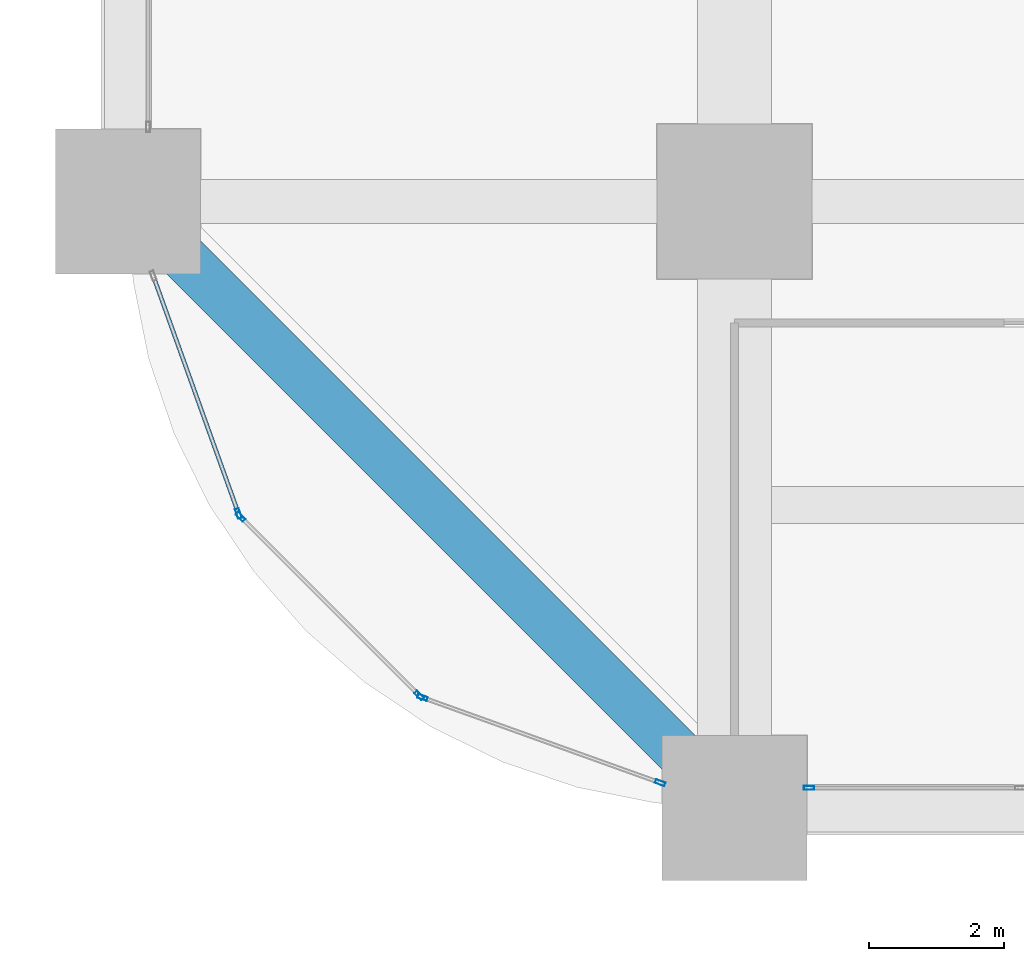
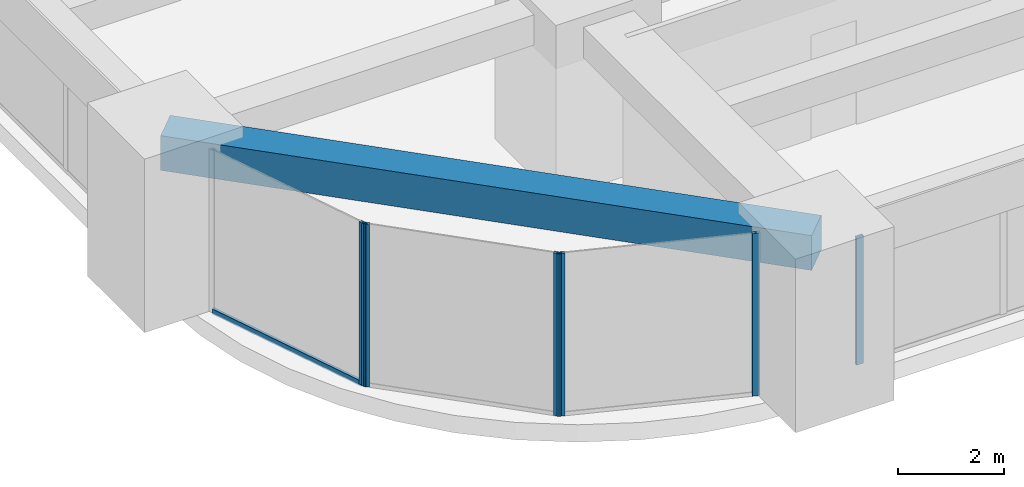
# One storey, part 2 of 50: 7 members, 1 beam, 4 elements without a shape of their own.
"""IFC4 building model written with IfcOpenShell, lengths in metres."""

import ifcopenshell
import ifcopenshell.guid

model = None  # the IFC model being written
_history = None  # IfcOwnerHistory: only IFC2X3 demands one
_inside = {}  # id of a spatial element -> (the spatial element, [elements in it])
_under = {}  # id of a project, library or spatial element -> (it, [spatial elements below it])
_declared = {}  # id of a project -> (the project, [libraries it declares])
_typed = {}  # id of a type object -> (the type object, [elements of that type])
_made_of = {}  # id of a material, layer set ... -> (it, [elements and type objects made of it])


def new_model(schema):
    """Start an empty IFC model of exactly this schema.

    Asked for "IFC4X3", IfcOpenShell would pick the latest addendum, in which some entities
    have other attributes; the version numbers below select the first issue.
    IFC2X3 requires an IfcOwnerHistory on every rooted entity: one is made here for all.
    """
    global model, _history
    if schema == "IFC4X3":
        model = ifcopenshell.file(schema_version=(4, 3, 0, 0))
    else:
        model = ifcopenshell.file(schema=schema)
    _inside.clear()
    _under.clear()
    _declared.clear()
    _typed.clear()
    _made_of.clear()
    _history = None
    if model.schema == "IFC2X3":
        org = make("IfcOrganization", Name="unknown")
        user = make(
            "IfcPersonAndOrganization",
            ThePerson=make("IfcPerson", FamilyName="unknown"),
            TheOrganization=org,
        )
        app = make(
            "IfcApplication",
            ApplicationDeveloper=org,
            Version="unknown",
            ApplicationFullName="unknown",
            ApplicationIdentifier="unknown",
        )
        _history = make(
            "IfcOwnerHistory",
            OwningUser=user,
            OwningApplication=app,
            ChangeAction="ADDED",
            CreationDate=0,
        )
    return model


def make(cls, **values):
    """One entity of the class cls with the attributes given. An attribute that is None is left unset."""
    return model.create_entity(
        cls, **{name: value for name, value in values.items() if value is not None}
    )


def rooted(cls, **values):
    """An entity with a GlobalId (a new one), such as an element, a storey or a relation."""
    return make(cls, GlobalId=ifcopenshell.guid.new(), OwnerHistory=_history, **values)


def si_unit(unit_type, name, prefix=None):
    """IfcSIUnit, for example si_unit("LENGTHUNIT", "METRE", prefix="MILLI")."""
    return make("IfcSIUnit", UnitType=unit_type, Prefix=prefix, Name=name)


def assignment(units):
    """IfcUnitAssignment: the units of a project."""
    return None if units is None else make("IfcUnitAssignment", Units=units)


def point(xyz):
    """IfcCartesianPoint."""
    return None if xyz is None else make("IfcCartesianPoint", Coordinates=xyz)


def direction(xyz):
    """IfcDirection."""
    return None if xyz is None else make("IfcDirection", DirectionRatios=xyz)


def frame(location, z_axis=None, x_axis=None):
    """IfcAxis2Placement3D, a coordinate frame: its origin and axes. An axis left out is left unset."""
    return make(
        "IfcAxis2Placement3D",
        Location=point(location),
        Axis=direction(z_axis),
        RefDirection=direction(x_axis),
    )


def frame_2d(location, x_axis=None):
    """IfcAxis2Placement2D, a coordinate frame in the plane: its origin and x axis."""
    return make(
        "IfcAxis2Placement2D", Location=point(location), RefDirection=direction(x_axis)
    )


def origin():
    """The frame at (0, 0, 0) with its axes left unset."""
    return frame((0.0, 0.0, 0.0))


def origin_2d():
    """The frame at (0, 0) in the plane with its x axis left unset."""
    return frame_2d((0.0, 0.0))


def place(relative_to, where):
    """IfcLocalPlacement: puts the frame where relative to a parent placement (None: the world)."""
    return make(
        "IfcLocalPlacement", PlacementRelTo=relative_to, RelativePlacement=where
    )


def context(
    kind, dimensions, precision=None, world=None, true_north=None, identifier=None
):
    """IfcGeometricRepresentationContext, for example the 3D "Model" context."""
    return make(
        "IfcGeometricRepresentationContext",
        ContextIdentifier=identifier,
        ContextType=kind,
        CoordinateSpaceDimension=dimensions,
        Precision=precision,
        WorldCoordinateSystem=world,
        TrueNorth=true_north,
    )


def subcontext(parent, identifier, kind, view, scale=None):
    """IfcGeometricRepresentationSubContext, for example "Body" below "Model"."""
    return make(
        "IfcGeometricRepresentationSubContext",
        ContextIdentifier=identifier,
        ContextType=kind,
        ParentContext=parent,
        TargetScale=scale,
        TargetView=view,
    )


def project(units=None, contexts=None):
    """IfcProject with its units and contexts."""
    return rooted(
        "IfcProject",
        Name="project",
        RepresentationContexts=contexts,
        UnitsInContext=assignment(units),
    )


def spatial(cls, under=None, at=None, **own):
    """A site, building, storey or space (cls), placed at a placement, below another one or the project."""
    s = rooted(cls, ObjectPlacement=at, **own)
    if under is not None:
        _under.setdefault(under.id(), (under, []))[1].append(s)
    return s


def profile(cls, at=None, kind="AREA", **sizes):
    """A parametric profile (cls). Its sizes go by their IFC names, for example OverallWidth=200.0."""
    return make(cls, ProfileType=kind, Position=at, **sizes)


def rectangle(**sizes):
    """IfcRectangleProfileDef."""
    return profile("IfcRectangleProfileDef", **sizes)


def hollow_rectangle(**sizes):
    """IfcRectangleHollowProfileDef."""
    return profile("IfcRectangleHollowProfileDef", **sizes)


def extrude(swept, where, along, depth):
    """IfcExtrudedAreaSolid: the profile swept, set in the frame where, extruded along a direction by depth."""
    return make(
        "IfcExtrudedAreaSolid",
        SweptArea=swept,
        Position=where,
        ExtrudedDirection=direction(along),
        Depth=depth,
    )


def shape(context_of_items, identifier, shape_type, items):
    """IfcShapeRepresentation: the items that make up one representation, for example the "Body"."""
    return make(
        "IfcShapeRepresentation",
        ContextOfItems=context_of_items,
        RepresentationIdentifier=identifier,
        RepresentationType=shape_type,
        Items=items,
    )


def material(Name=None, Category=None):
    """IfcMaterial."""
    return make("IfcMaterial", Name=Name, Category=Category)


def material_profile(
    of_material, cross_section, Name=None, Category=None, Priority=None
):
    """IfcMaterialProfile: a cross section and its material."""
    return make(
        "IfcMaterialProfile",
        Name=Name,
        Material=of_material,
        Profile=cross_section,
        Priority=Priority,
        Category=Category,
    )


def profile_set(profiles, Name=None, composite=None):
    """IfcMaterialProfileSet."""
    return make(
        "IfcMaterialProfileSet",
        Name=Name,
        MaterialProfiles=profiles,
        CompositeProfile=composite,
    )


def made_of(thing, what):
    """Note that an element or type object is made of a material, layer set ...; save() writes the relation."""
    if what is not None:
        _made_of.setdefault(what.id(), (what, []))[1].append(thing)
    return thing


def type_object(cls, material=None, **own):
    """A type object (cls), such as IfcWallType, which elements share."""
    return made_of(rooted(cls, **own), material)


def element(
    cls,
    number,
    at=None,
    inside=None,
    cuts=None,
    type_object=None,
    material=None,
    context=None,
    identifier="Body",
    shape_type=None,
    held_by="IfcProductDefinitionShape",
    body=None,
    shapes=None,
    **own,
):
    """One element of the class cls, such as IfcWall. Its Tag is "e" and its number.

    at: its placement. inside: the storey or other place that contains it. cuts: it is an
    opening in that element (IfcRelVoidsElement). A single representation is given by context,
    identifier, shape_type and body (its items); several are given by shapes. held_by: the class
    of the entity that holds the representations. save() writes the other relations.
    """
    e = rooted(cls, Tag="e%d" % number, ObjectPlacement=at, **own)
    if body is not None:
        shapes = [shape(context, identifier, shape_type, body)]
    if shapes is not None:
        e.Representation = make(held_by, Representations=shapes)
    if inside is not None:
        _inside.setdefault(inside.id(), (inside, []))[1].append(e)
    if cuts is not None:
        rooted(
            "IfcRelVoidsElement", RelatingBuildingElement=cuts, RelatedOpeningElement=e
        )
    if type_object is not None:
        _typed.setdefault(type_object.id(), (type_object, []))[1].append(e)
    return made_of(e, material)


def aggregate(whole, parts):
    """IfcRelAggregates: a whole, such as a stair, and the parts it consists of."""
    return rooted("IfcRelAggregates", RelatingObject=whole, RelatedObjects=parts)


def save(model, path):
    """Write the relations noted so far, then the file.

    IfcRelAggregates (storeys below a building ...), IfcRelContainedInSpatialStructure (elements
    in a storey), IfcRelDefinesByType, IfcRelAssociatesMaterial and IfcRelDeclares: one each for
    every whole, place, type object, material and project.
    """
    for whole, parts in _under.values():
        aggregate(whole, parts)
    for where, things in _inside.values():
        rooted(
            "IfcRelContainedInSpatialStructure",
            RelatedElements=things,
            RelatingStructure=where,
        )
    for kind, things in _typed.values():
        rooted("IfcRelDefinesByType", RelatedObjects=things, RelatingType=kind)
    for what, things in _made_of.values():
        rooted("IfcRelAssociatesMaterial", RelatedObjects=things, RelatingMaterial=what)
    for by, libraries in _declared.values():
        rooted("IfcRelDeclares", RelatingContext=by, RelatedDefinitions=libraries)
    model.write(path)


model = new_model("IFC4")

# Units and contexts
model_context = context("Model", 3, precision=1e-05, world=origin(), true_north=direction((0.0, 1.0)))
body_context = subcontext(model_context, "Body", "Model", "MODEL_VIEW")
ifc_project = project(units=[si_unit("LENGTHUNIT", "METRE"), si_unit("AREAUNIT", "SQUARE_METRE"), si_unit("VOLUMEUNIT", "CUBIC_METRE"), si_unit("PLANEANGLEUNIT", "RADIAN"), si_unit("MASSUNIT", "GRAM", prefix="KILO")], contexts=[model_context])

# Site, building, storey
site_placement = place(None, origin())
site = spatial("IfcSite", under=ifc_project, at=site_placement, CompositionType="ELEMENT")
building_placement = place(site_placement, origin())
building = spatial("IfcBuilding", under=site, at=building_placement, Name="Zorevar Civic Tower", CompositionType="ELEMENT")
storey_placement = place(building_placement, frame((0.0, 0.0, 85.0)))
storey = spatial("IfcBuildingStorey", under=building, at=storey_placement, Name="L20", CompositionType="ELEMENT", Elevation=85.0)

# Curtain wall, member
ifc_material_1 = material(Name="Dark grey solar-control glass in black aluminium frame", Category="aluminium")
curtain_wall_type = type_object("IfcCurtainWallType", Name="Curtain wall CW3 mid zone", PredefinedType="NOTDEFINED", material=ifc_material_1)
curtain_wall_1_placement = place(storey_placement, origin())
curtain_wall_1 = element("IfcCurtainWall", 1, at=curtain_wall_1_placement, inside=storey, type_object=curtain_wall_type, Name="CW3 L20", PredefinedType="NOTDEFINED")
ifc_material_2 = material(Name="Aluminium, black anodised", Category="aluminium")
ifc_material_profile_1 = material_profile(ifc_material_2, hollow_rectangle(XDim=0.06005859375, YDim=0.14990234375, WallThickness=0.00390625, at=origin_2d()), Name="AL 150x60x4")
ifc_profile_set_1 = profile_set([ifc_material_profile_1], Name="Aluminium, black anodised")
member_type_1 = type_object("IfcMemberType", Name="CW3 mullion AL 150x60x4", PredefinedType="MULLION", material=ifc_profile_set_1)
member_1_placement = place(storey_placement, frame((10.10498046875, 0.300048828125, 0.0), z_axis=(0.0, 0.0, 1.0), x_axis=(0.0, 1.0, 0.0)))
member_1 = element("IfcMember", 2, at=member_1_placement, type_object=member_type_1, Name="CW3 mullion 1", PredefinedType="MULLION", context=body_context, shape_type="SweptSolid", body=[
    extrude(hollow_rectangle(XDim=0.06005859375, YDim=0.14990234375, WallThickness=0.00390625, at=origin_2d()), origin(), (0.0, 0.0, 1.0), 2.949951171875),
])
aggregate(curtain_wall_1, [member_1])

curtain_wall_2_placement = place(storey_placement, origin())
curtain_wall_2 = element("IfcCurtainWall", 3, at=curtain_wall_2_placement, inside=storey, type_object=curtain_wall_type, Name="CW3 L20", PredefinedType="NOTDEFINED")
member_2_placement = place(storey_placement, frame((1.6416015625, 4.370849609375, 0.0), z_axis=(0.0, 0.0, 1.0), x_axis=(0.941281589934, 0.337622523614, 0.0)))
member_2 = element("IfcMember", 4, at=member_2_placement, type_object=member_type_1, Name="CW3 mullion 2", PredefinedType="MULLION", context=body_context, shape_type="SweptSolid", body=[
    extrude(hollow_rectangle(XDim=0.06005859375, YDim=0.14990234375, WallThickness=0.00390625, at=origin_2d()), origin(), (0.0, 0.0, 1.0), 3.75),
])

# Curtain wall, members
curtain_wall_3_placement = place(storey_placement, origin())
curtain_wall_3 = element("IfcCurtainWall", 5, at=curtain_wall_3_placement, inside=storey, type_object=curtain_wall_type, Name="CW3 L20", PredefinedType="NOTDEFINED")
member_3_placement = place(storey_placement, frame((1.6728515625, 4.321533203125, 0.0), z_axis=(0.0, 0.0, 1.0), x_axis=(0.707106781187, 0.707106781187, 0.0)))
member_3 = element("IfcMember", 6, at=member_3_placement, type_object=member_type_1, Name="CW3 mullion 1", PredefinedType="MULLION", context=body_context, shape_type="SweptSolid", body=[
    extrude(hollow_rectangle(XDim=0.06005859375, YDim=0.14990234375, WallThickness=0.00390625, at=origin_2d()), origin(), (0.0, 0.0, 1.0), 3.75),
])
member_4_placement = place(storey_placement, frame((4.321533203125, 1.6728515625, 0.0), z_axis=(0.0, 0.0, 1.0), x_axis=(0.707106781187, 0.707106781187, 0.0)))
member_4 = element("IfcMember", 7, at=member_4_placement, type_object=member_type_1, Name="CW3 mullion 2", PredefinedType="MULLION", context=body_context, shape_type="SweptSolid", body=[
    extrude(hollow_rectangle(XDim=0.06005859375, YDim=0.14990234375, WallThickness=0.00390625, at=origin_2d()), origin(), (0.0, 0.0, 1.0), 3.75),
])
aggregate(curtain_wall_3, [member_3, member_4])

curtain_wall_4_placement = place(storey_placement, origin())
curtain_wall_4 = element("IfcCurtainWall", 8, at=curtain_wall_4_placement, inside=storey, type_object=curtain_wall_type, Name="CW3 L20", PredefinedType="NOTDEFINED")
member_5_placement = place(storey_placement, frame((4.370849609375, 1.6416015625, 0.0), z_axis=(0.0, 0.0, 1.0), x_axis=(0.337622523614, 0.941281589934, 0.0)))
member_5 = element("IfcMember", 9, at=member_5_placement, type_object=member_type_1, Name="CW3 mullion 1", PredefinedType="MULLION", context=body_context, shape_type="SweptSolid", body=[
    extrude(hollow_rectangle(XDim=0.06005859375, YDim=0.14990234375, WallThickness=0.00390625, at=origin_2d()), origin(), (0.0, 0.0, 1.0), 3.75),
])
member_6_placement = place(storey_placement, frame((7.896728515625, 0.376953125, 0.0), z_axis=(0.0, 0.0, 1.0), x_axis=(0.337622523614, 0.941281589934, 0.0)))
member_6 = element("IfcMember", 10, at=member_6_placement, type_object=member_type_1, Name="CW3 mullion 2", PredefinedType="MULLION", context=body_context, shape_type="SweptSolid", body=[
    extrude(hollow_rectangle(XDim=0.06005859375, YDim=0.14990234375, WallThickness=0.00390625, at=origin_2d()), origin(), (0.0, 0.0, 1.0), 3.75),
])
aggregate(curtain_wall_4, [member_5, member_6])

# Member
ifc_material_3 = material(Name="Aluminium, black anodised", Category="aluminium")
ifc_material_profile_2 = material_profile(ifc_material_3, hollow_rectangle(XDim=0.06005859375, YDim=0.1201171875, WallThickness=0.0029296875, at=origin_2d()), Name="AL 120x60x3")
ifc_profile_set_2 = profile_set([ifc_material_profile_2], Name="Aluminium, black anodised")
member_type_2 = type_object("IfcMemberType", Name="CW3 transom AL 120x60x3", PredefinedType="USERDEFINED", material=ifc_profile_set_2)
member_7_placement = place(storey_placement, frame((0.386962890625, 7.868408203125, 0.030029296875), z_axis=(0.33762852199, -0.941279438392, 0.0), x_axis=(0.941279438392, 0.33762852199, 0.0)))
member_7 = element("IfcMember", 11, at=member_7_placement, type_object=member_type_2, Name="CW3 sill transom", ObjectType="TRANSOM", PredefinedType="USERDEFINED", context=body_context, shape_type="SweptSolid", body=[
    extrude(hollow_rectangle(XDim=0.06005859375, YDim=0.1201171875, WallThickness=0.0029296875, at=origin_2d()), origin(), (0.0, 0.0, 1.0), 3.685546875),
])

aggregate(curtain_wall_2, [member_2, member_7])

# Beam
ifc_material_4 = material(Name="Concrete C50/60", Category="concrete")
ifc_material_profile_3 = material_profile(ifc_material_4, rectangle(XDim=0.699951171875, YDim=0.800048828125, at=origin_2d()), Name="RC 700x800")
ifc_profile_set_3 = profile_set([ifc_material_profile_3], Name="Concrete C50/60")
beam_type = type_object("IfcBeamType", Name="Edge beam RC 700x800", PredefinedType="SPANDREL", material=ifc_profile_set_3)
beam_placement = place(storey_placement, frame((0.0, 9.0, 3.35009765625), z_axis=(0.707106781187, -0.707106781187, 0.0), x_axis=(0.707106781187, 0.707106781187, 0.0)))
element("IfcBeam", 12, at=beam_placement, inside=storey, type_object=beam_type, Name="Corner edge beam L21", PredefinedType="SPANDREL", context=body_context, shape_type="SweptSolid", body=[
    extrude(rectangle(XDim=0.699951171875, YDim=0.800048828125, at=origin_2d()), origin(), (0.0, 0.0, 1.0), 12.72802734375),
])

save(model, "model.ifc")
